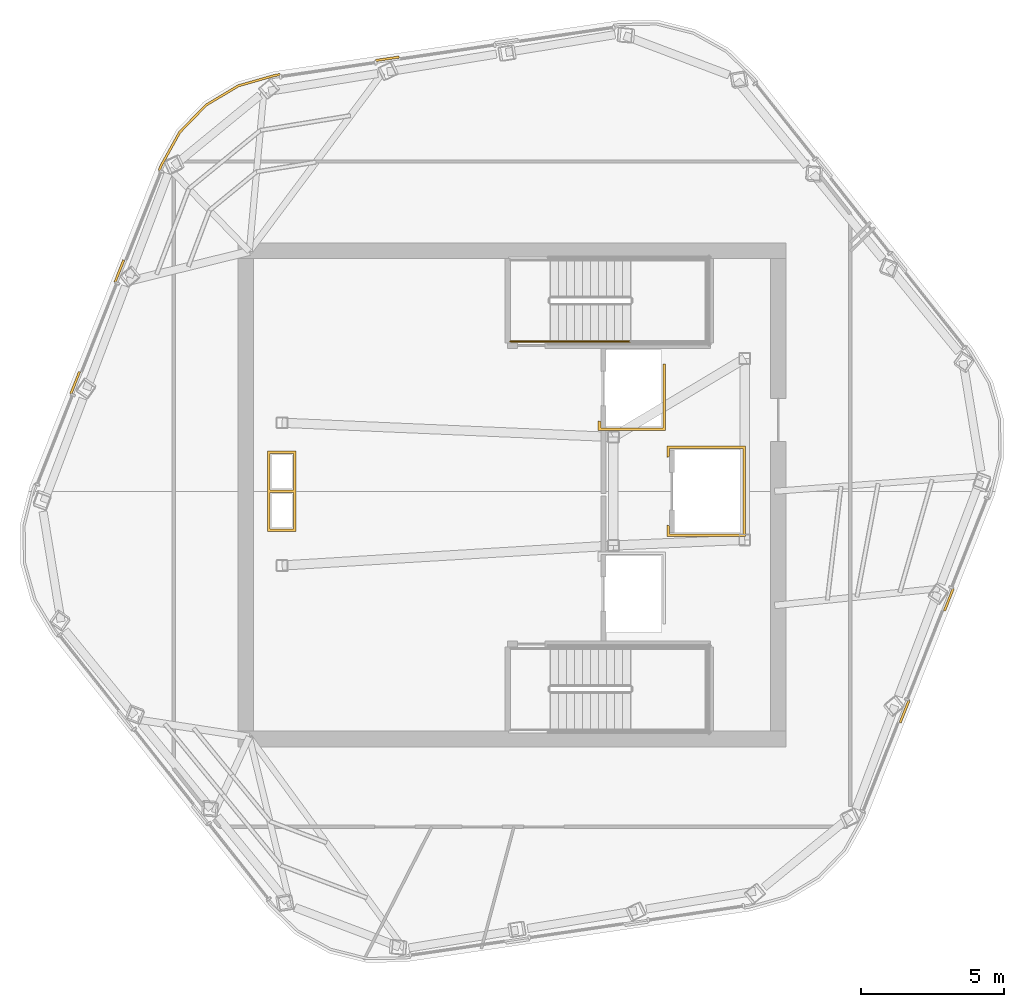
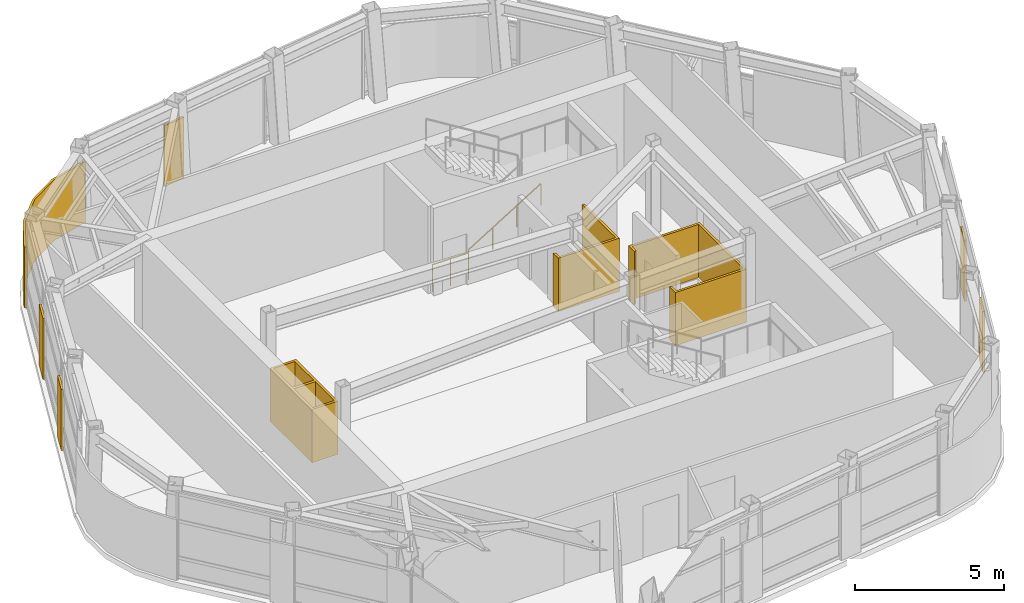
# One storey, part 8 of 9: 9 coverings, 2 railings.
"""IFC4 building model written with IfcOpenShell, lengths in metres."""

from ifc_helpers import new_model, si_unit, direction, frame, origin, origin_2d, place, context, subcontext, project, spatial, polyline, circle, outline, extrude, material, layer, layer_set, type_object, element, save


model = new_model("IFC4")

# Units and contexts
model_context = context("Model", 3, precision=1e-05, world=origin(), true_north=direction((0.0, 1.0)))
body_context = subcontext(model_context, "Body", "Model", "MODEL_VIEW")
ifc_project = project(units=[si_unit("LENGTHUNIT", "METRE"), si_unit("AREAUNIT", "SQUARE_METRE"), si_unit("VOLUMEUNIT", "CUBIC_METRE"), si_unit("PLANEANGLEUNIT", "RADIAN"), si_unit("MASSUNIT", "GRAM", prefix="KILO")], contexts=[model_context])

# Site, building, storey
site_placement = place(None, origin())
site = spatial("IfcSite", under=ifc_project, at=site_placement, CompositionType="ELEMENT")
building_placement = place(site_placement, origin())
building = spatial("IfcBuilding", under=site, at=building_placement, Name="Valkerne Bourse Tower", CompositionType="ELEMENT")
storey_placement = place(building_placement, frame((0.0, 0.0, 319.199951171875)))
storey = spatial("IfcBuildingStorey", under=building, at=storey_placement, Name="L81", CompositionType="ELEMENT", Elevation=319.199951171875)

# Coverings
ifc_material_1 = material(Name="Bronze Anodised Aluminium AA 6063-T6", Category="aluminium")
ifc_layer_1 = layer(ifc_material_1, 0.06005859375)
ifc_layer_set_1 = layer_set([ifc_layer_1], Name="Bronze Anodised Aluminium AA 6063-T6")
covering_type_1 = type_object("IfcCoveringType", Name="COV-CRN-ALUM", PredefinedType="CLADDING", material=ifc_layer_set_1)
covering_1_placement = place(storey_placement, origin())
element("IfcCovering", 1, at=covering_1_placement, inside=storey, type_object=covering_type_1, Name="L81 Wind-Shaped Corner Aluminium Cladding 02", PredefinedType="CLADDING", context=body_context, shape_type="SweptSolid", body=[
    extrude(outline(polyline([(61.982421875, 22.802001953125), (61.908203125, 22.83154296875), (62.21728515625, 23.612548828125), (62.291748046875, 23.5830078125), (61.982421875, 22.802001953125)])), origin(), (0.0, 0.0, 1.0), 2.5),
])
covering_2_placement = place(storey_placement, origin())
element("IfcCovering", 2, at=covering_2_placement, inside=storey, type_object=covering_type_1, Name="L81 Wind-Shaped Corner Aluminium Cladding 03", PredefinedType="CLADDING", context=body_context, shape_type="SweptSolid", body=[
    extrude(outline(polyline([(60.431884765625, 18.885986328125), (60.357666015625, 18.915283203125), (60.666748046875, 19.6962890625), (60.7412109375, 19.6669921875), (60.431884765625, 18.885986328125)])), origin(), (0.0, 0.0, 1.0), 2.5),
])
covering_3_placement = place(storey_placement, origin())
element("IfcCovering", 3, at=covering_3_placement, inside=storey, type_object=covering_type_1, Name="L81 Wind-Shaped Corner Aluminium Cladding 11", PredefinedType="CLADDING", context=body_context, shape_type="SweptSolid", body=[
    extrude(outline(polyline([(31.617431640625, 31.197998046875), (31.69189453125, 31.16845703125), (31.382568359375, 30.387451171875), (31.308349609375, 30.4169921875), (31.617431640625, 31.197998046875)])), origin(), (0.0, 0.0, 1.0), 2.5),
])
covering_4_placement = place(storey_placement, origin())
element("IfcCovering", 4, at=covering_4_placement, inside=storey, type_object=covering_type_1, Name="L81 Wind-Shaped Corner Aluminium Cladding 12", PredefinedType="CLADDING", context=body_context, shape_type="SweptSolid", body=[
    extrude(outline(polyline([(33.16796875, 35.114013671875), (33.242431640625, 35.084716796875), (32.93310546875, 34.3037109375), (32.85888671875, 34.3330078125), (33.16796875, 35.114013671875)])), origin(), (0.0, 0.0, 1.0), 2.5),
])
covering_5_placement = place(storey_placement, origin())
element("IfcCovering", 5, at=covering_5_placement, inside=storey, type_object=covering_type_1, Name="L81 Wind-Shaped Corner Aluminium Cladding 13", PredefinedType="CLADDING", context=body_context, shape_type="SweptSolid", body=[
    extrude(outline(polyline([(34.48046875, 38.428955078125), (35.131103515625, 39.597900390625), (36.0576171875, 40.5537109375), (37.19970703125, 41.2373046875), (38.486083984375, 41.603759765625), (38.67724609375, 41.632080078125), (38.68896484375, 41.552978515625), (38.503173828125, 41.525390625), (37.231689453125, 41.163330078125), (36.107666015625, 40.490478515625), (35.19580078125, 39.5498046875), (34.552978515625, 38.39453125), (34.48388671875, 38.219970703125), (34.409423828125, 38.24951171875), (34.48046875, 38.428955078125)])), origin(), (0.0, 0.0, 1.0), 2.5),
])
covering_6_placement = place(storey_placement, origin())
element("IfcCovering", 6, at=covering_6_placement, inside=storey, type_object=covering_type_1, Name="L81 Wind-Shaped Corner Aluminium Cladding 14", PredefinedType="CLADDING", context=body_context, shape_type="SweptSolid", body=[
    extrude(outline(polyline([(42.843994140625, 42.247314453125), (42.855712890625, 42.168212890625), (42.02490234375, 42.04541015625), (42.01318359375, 42.124755859375), (42.843994140625, 42.247314453125)])), origin(), (0.0, 0.0, 1.0), 2.5),
])
ifc_material_2 = material(Name="Gypsum Shaftwall Liner Board", Category="gypsum")
ifc_layer_2 = layer(ifc_material_2, 0.080078125)
ifc_layer_set_2 = layer_set([ifc_layer_2], Name="Gypsum Shaftwall Liner Board")
covering_type_2 = type_object("IfcCoveringType", Name="COV-SHF-CLAD", PredefinedType="CLADDING", material=ifc_layer_set_2)
covering_7_placement = place(storey_placement, origin())
element("IfcCovering", 7, at=covering_7_placement, inside=storey, type_object=covering_type_2, Name="L81 Hoistway & Riser Shaftwall Liner 02", PredefinedType="CLADDING", context=body_context, shape_type="SweptSolid", body=[
    extrude(outline(polyline([(38.239990234375, 25.590087890625), (38.239990234375, 26.9599609375), (38.239990234375, 27.0400390625), (38.239990234375, 28.409912109375), (39.239990234375, 28.409912109375), (39.239990234375, 27.0400390625), (39.239990234375, 26.9599609375), (39.239990234375, 25.590087890625), (38.239990234375, 25.590087890625)]), holes=[polyline([(39.14990234375, 25.679931640625), (39.14990234375, 26.949951171875), (38.330078125, 26.949951171875), (38.330078125, 25.679931640625), (39.14990234375, 25.679931640625)]), polyline([(39.14990234375, 28.320068359375), (38.330078125, 28.320068359375), (38.330078125, 27.050048828125), (39.14990234375, 27.050048828125), (39.14990234375, 28.320068359375)])]), origin(), (0.0, 0.0, 1.0), 2.179931640625),
])
covering_8_placement = place(storey_placement, origin())
element("IfcCovering", 8, at=covering_8_placement, inside=storey, type_object=covering_type_2, Name="L81 Hoistway & Riser Shaftwall Liner 03", PredefinedType="CLADDING", context=body_context, shape_type="SweptSolid", body=[
    extrude(outline(polyline([(52.219970703125, 25.81787109375), (52.227783203125, 25.814208984375), (52.269287109375, 25.79931640625), (52.31005859375, 25.789306640625), (52.31005859375, 25.510009765625), (54.889892578125, 25.510009765625), (54.889892578125, 28.489990234375), (52.31005859375, 28.489990234375), (52.31005859375, 28.210693359375), (52.269287109375, 28.20068359375), (52.227783203125, 28.185791015625), (52.219970703125, 28.18212890625), (52.219970703125, 28.580078125), (54.97998046875, 28.580078125), (54.97998046875, 25.419921875), (52.219970703125, 25.419921875), (52.219970703125, 25.81787109375)])), origin(), (0.0, 0.0, 1.0), 2.179931640625),
])
covering_9_placement = place(storey_placement, origin())
element("IfcCovering", 9, at=covering_9_placement, inside=storey, type_object=covering_type_2, Name="L81 Hoistway & Riser Shaftwall Liner 04", PredefinedType="CLADDING", context=body_context, shape_type="SweptSolid", body=[
    extrude(outline(polyline([(49.909912109375, 29.2099609375), (52.090087890625, 29.2099609375), (52.090087890625, 31.449951171875), (52.179931640625, 31.449951171875), (52.179931640625, 29.1201171875), (49.820068359375, 29.1201171875), (49.820068359375, 29.468017578125), (49.827880859375, 29.46435546875), (49.869384765625, 29.449462890625), (49.909912109375, 29.439208984375), (49.909912109375, 29.2099609375)])), origin(), (0.0, 0.0, 1.0), 2.179931640625),
])

# Railings
ifc_material_3 = material(Name="Galvanised Painted Steel", Category="steel")
railing_type_1 = type_object("IfcRailingType", Name="RLG-ST-GUARD-1120", PredefinedType="GUARDRAIL", material=ifc_material_3)
railing_1_placement = place(storey_placement, frame((46.75, 32.25, 0.0)))
element("IfcRailing", 10, at=railing_1_placement, inside=storey, type_object=railing_type_1, Name="L81 ST-2 stair guard 8", PredefinedType="GUARDRAIL", context=body_context, shape_type="SweptSolid", body=[
    extrude(circle(Radius=0.02392578125, at=origin_2d()), frame((0.0, 0.0, 1.09619140625), z_axis=(1.0, 0.0, 0.0), x_axis=(0.0, 1.0, 0.0)), (0.0, 0.0, 1.0), 1.39990234375),
    extrude(circle(Radius=0.02099609375, at=origin_2d()), origin(), (0.0, 0.0, 1.0), 1.072021484375),
    extrude(circle(Radius=0.02099609375, at=origin_2d()), frame((0.699951171875, 0.0, 0.0)), (0.0, 0.0, 1.0), 1.072021484375),
    extrude(circle(Radius=0.02099609375, at=origin_2d()), frame((1.39990234375, 0.0, 0.0)), (0.0, 0.0, 1.0), 1.072021484375),
])
ifc_material_4 = material(Name="Stainless Steel AISI 316", Category="steel")
railing_type_2 = type_object("IfcRailingType", Name="RLG-ST-HANDRAIL-900", PredefinedType="HANDRAIL", material=ifc_material_4)
railing_2_placement = place(storey_placement, frame((48.14990234375, 32.25, 0.345458984375)))
element("IfcRailing", 11, at=railing_2_placement, inside=storey, type_object=railing_type_2, Name="L81 ST-2 stair handrail 1", PredefinedType="HANDRAIL", context=body_context, shape_type="SweptSolid", body=[
    extrude(circle(Radius=0.02392578125, at=origin_2d()), frame((0.0, 0.0, 0.8759765625), z_axis=(0.851089632645, 0.0, 0.525020415988), x_axis=(0.0, 1.0, 0.0)), (0.0, 0.0, 1.0), 3.2900390625),
    extrude(circle(Radius=0.02099609375, at=origin_2d()), origin(), (0.0, 0.0, 1.0), 0.851806640625),
    extrude(circle(Radius=0.02099609375, at=origin_2d()), frame((0.933349609375, 0.0, 0.57568359375)), (0.0, 0.0, 1.0), 0.851806640625),
    extrude(circle(Radius=0.02099609375, at=origin_2d()), frame((1.86669921875, 0.0, 1.151611328125)), (0.0, 0.0, 1.0), 0.851806640625),
    extrude(circle(Radius=0.02099609375, at=origin_2d()), frame((2.800048828125, 0.0, 1.727294921875)), (0.0, 0.0, 1.0), 0.851806640625),
])

save(model, "model.ifc")
